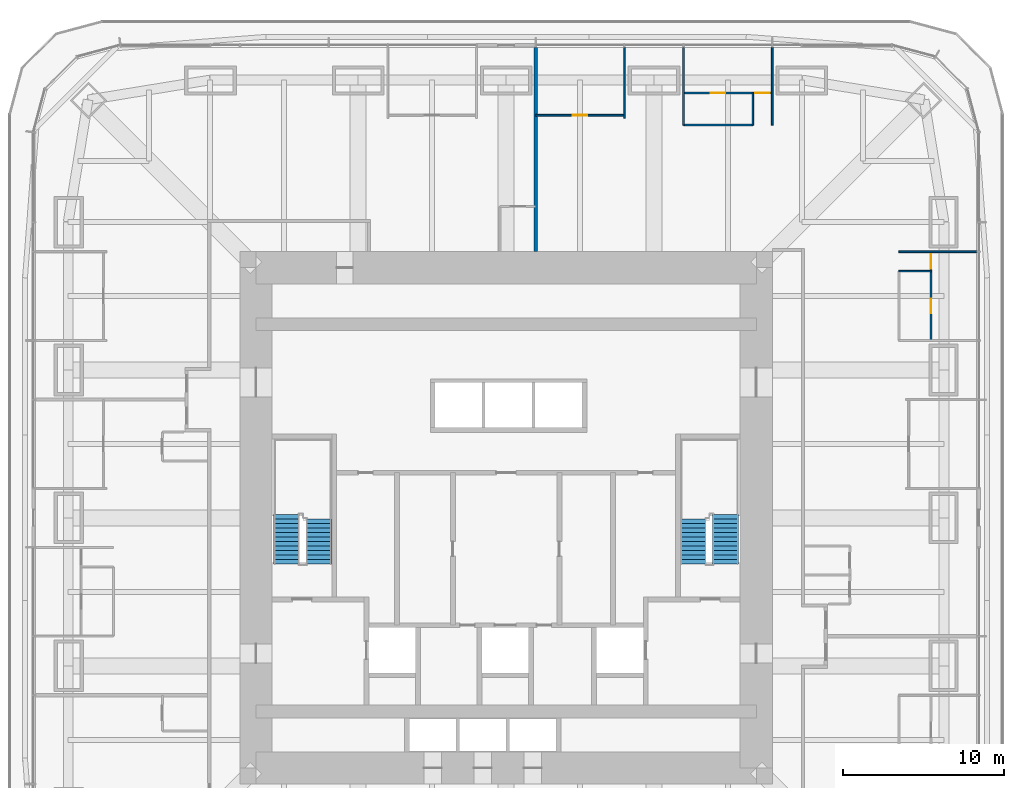
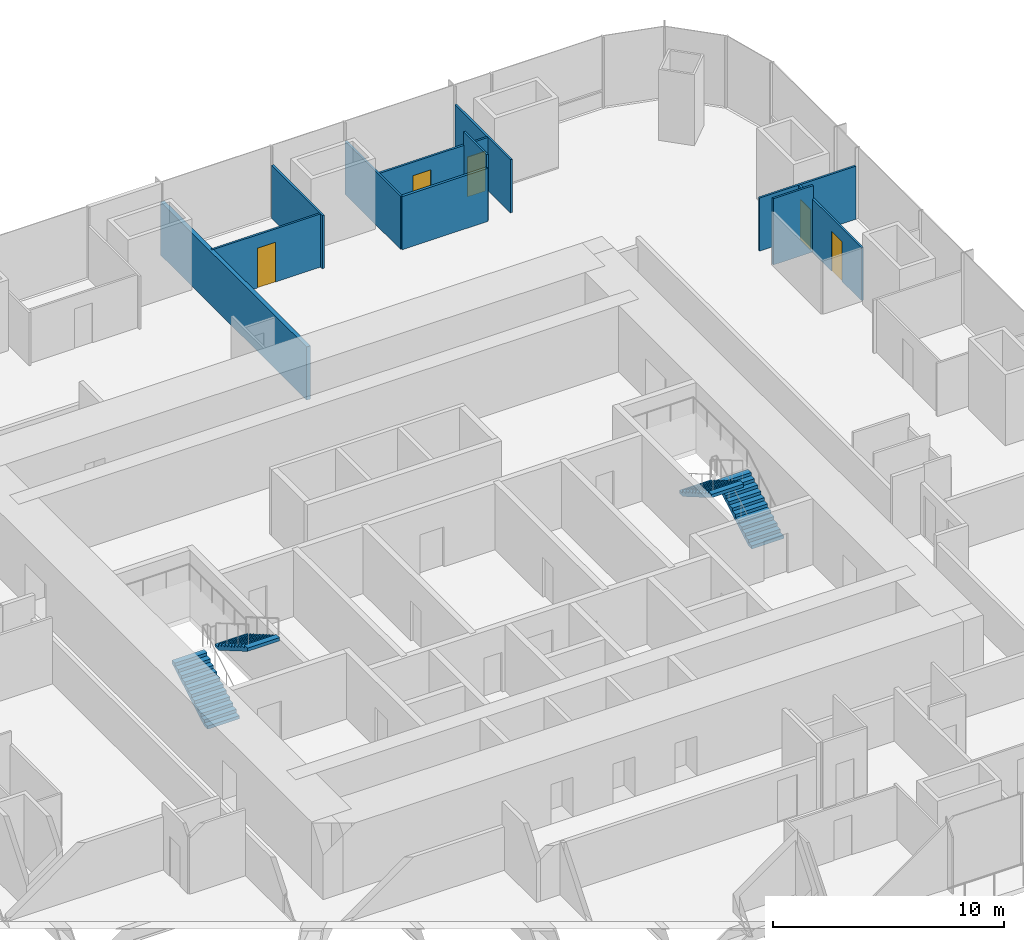
# One storey, part 14 of 16: 11 walls, 5 doors, 4 stair flights, 5 openings, 2 elements without a shape of their own.
"""IFC4 building model written with IfcOpenShell, lengths in metres."""

from ifc_helpers import new_model, si_unit, direction, frame, frame_2d, origin, place, context, subcontext, project, spatial, polyline, rectangle, outline, extrude, material, layer, layer_set, type_object, element, fill, aggregate, save


model = new_model("IFC4")

# Units and contexts
model_context = context("Model", 3, precision=1e-05, world=origin(), true_north=direction((0.0, 1.0)))
body_context = subcontext(model_context, "Body", "Model", "MODEL_VIEW")
ifc_project = project(units=[si_unit("LENGTHUNIT", "METRE"), si_unit("AREAUNIT", "SQUARE_METRE"), si_unit("VOLUMEUNIT", "CUBIC_METRE"), si_unit("PLANEANGLEUNIT", "RADIAN"), si_unit("MASSUNIT", "GRAM", prefix="KILO")], contexts=[model_context])

# Site, building, storey
site_placement = place(None, origin())
site = spatial("IfcSite", under=ifc_project, at=site_placement, CompositionType="ELEMENT")
building_placement = place(site_placement, origin())
building = spatial("IfcBuilding", under=site, at=building_placement, Name="Khuree Lantern Residences", CompositionType="ELEMENT")
storey_placement = place(building_placement, frame((0.0, 0.0, 107.25)))
storey = spatial("IfcBuildingStorey", under=building, at=storey_placement, Name="L26", CompositionType="ELEMENT", Elevation=107.25)

# Walls
ifc_material_1 = material(Name="Moisture-resistant gypsum board on steel studs", Category="steel")
ifc_layer_1 = layer(ifc_material_1, 0.125)
ifc_layer_set_1 = layer_set([ifc_layer_1], Name="BATHROOM WALL BTW125")
wall_type_1 = type_object("IfcWallType", Name="BATHROOM WALL BTW125", PredefinedType="PARTITIONING", material=ifc_layer_set_1)
wall_1_placement = place(storey_placement, frame((15.2880859375, 24.329833984375, 0.0), z_axis=(0.0, 0.0, 1.0), x_axis=(-1.0, 0.0, 0.0)))
element("IfcWall", 1, at=wall_1_placement, inside=storey, type_object=wall_type_1, Name="L26 BATHROOM WALL 01", PredefinedType="PARTITIONING", context=body_context, shape_type="SweptSolid", body=[
    extrude(rectangle(XDim=4.296142578125, YDim=0.125, at=frame_2d((2.14794921875, 0.0))), origin(), (0.0, 0.0, 1.0), 2.81005859375),
])
ifc_material_2 = material(Name="Gypsum board on steel studs", Category="steel")
ifc_layer_2 = layer(ifc_material_2, 0.199951171875)
ifc_layer_set_2 = layer_set([ifc_layer_2], Name="DEMISING WALL DMW200 EI 90")
wall_type_2 = type_object("IfcWallType", Name="DEMISING WALL DMW200 EI 90", PredefinedType="PARTITIONING", material=ifc_layer_set_2)
wall_2_placement = place(storey_placement, frame((1.83203125, 16.5, 0.0), z_axis=(0.0, 0.0, 1.0), x_axis=(0.0, 1.0, 0.0)))
element("IfcWall", 2, at=wall_2_placement, inside=storey, type_object=wall_type_2, Name="L26 DEMISING WALL 02", PredefinedType="PARTITIONING", context=body_context, shape_type="SweptSolid", body=[
    extrude(rectangle(XDim=12.64990234375, YDim=0.199951171875, at=frame_2d((6.324951171875, 0.0))), origin(), (0.0, 0.0, 1.0), 2.81005859375),
])
ifc_layer_3 = layer(ifc_material_2, 0.10009765625)
ifc_layer_set_3 = layer_set([ifc_layer_3], Name="PARTITION PT100")
wall_type_3 = type_object("IfcWallType", Name="PARTITION PT100", PredefinedType="PARTITIONING", material=ifc_layer_set_3)
for number, where, z_axis, x_axis, name in (
    (3, (24.329833984375, 16.488037109375, 0.0), (0.0, 0.0, 1.0), (1.0, 0.0, 0.0), "L26 PARTITION 01"),
    (4, (16.488037109375, 24.329833984375, 0.0), (0.0, 0.0, 1.0), (0.0, 1.0, 0.0), "L26 PARTITION 01"),
    (5, (10.991943359375, 24.329833984375, 0.0), (0.0, 0.0, 1.0), (0.0, 1.0, 0.0), "L26 PARTITION 01"),
):
    element("IfcWall", number, at=place(storey_placement, frame(where, z_axis=z_axis, x_axis=x_axis)), inside=storey, type_object=wall_type_3, Name=name, PredefinedType="PARTITIONING", context=body_context, shape_type="SweptSolid", body=[
        extrude(rectangle(XDim=4.820068359375, YDim=0.10009765625, at=frame_2d((2.41015625, 0.0))), origin(), (0.0, 0.0, 1.0), 2.81005859375),
    ])
wall_3_placement = place(storey_placement, frame((7.327880859375, 24.75, 0.0), z_axis=(0.0, 0.0, 1.0), x_axis=(0.0, 1.0, 0.0)))
element("IfcWall", 6, at=wall_3_placement, inside=storey, type_object=wall_type_3, Name="L26 PARTITION 01", PredefinedType="PARTITIONING", context=body_context, shape_type="SweptSolid", body=[
    extrude(rectangle(XDim=4.39990234375, YDim=0.10009765625, at=frame_2d((2.199951171875, 0.0))), origin(), (0.0, 0.0, 1.0), 2.81005859375),
])

# Wall, openings, doors
wall_4_placement = place(storey_placement, frame((26.329833984375, 10.991943359375, 0.0), z_axis=(0.0, 0.0, 1.0), x_axis=(0.0, 1.0, 0.0)))
wall_4 = element("IfcWall", 7, at=wall_4_placement, inside=storey, type_object=wall_type_3, Name="L26 PARTITION 01", PredefinedType="PARTITIONING", context=body_context, shape_type="SweptSolid", body=[
    extrude(rectangle(XDim=5.49609375, YDim=0.10009765625, at=frame_2d((2.748046875, 0.0))), origin(), (0.0, 0.0, 1.0), 2.81005859375),
])
opening_1_placement = place(wall_4_placement, frame((4.446044921875, 0.0, 0.0)))
opening_1 = element("IfcOpeningElement", 8, at=opening_1_placement, cuts=wall_4, Name="Opening 26-022", PredefinedType="OPENING", context=body_context, shape_type="SweptSolid", body=[
    extrude(rectangle(XDim=0.89990234375, YDim=2.10009765625, at=frame_2d((0.449951171875, 1.050048828125))), frame((0.0, 0.06005859375, 0.0), z_axis=(0.0, -1.0, 0.0), x_axis=(1.0, 0.0, 0.0)), (0.0, 0.0, 1.0), 0.1201171875),
])
opening_2_placement = place(wall_4_placement, frame((1.697998046875, 0.0, 0.0)))
opening_2 = element("IfcOpeningElement", 9, at=opening_2_placement, cuts=wall_4, Name="Opening 26-023", PredefinedType="OPENING", context=body_context, shape_type="SweptSolid", body=[
    extrude(rectangle(XDim=0.89990234375, YDim=2.10009765625, at=frame_2d((0.449951171875, 1.050048828125))), frame((0.0, 0.06005859375, 0.0), z_axis=(0.0, -1.0, 0.0), x_axis=(1.0, 0.0, 0.0)), (0.0, 0.0, 1.0), 0.1201171875),
])
ifc_material_3 = material(Name="Timber door leaf in hardwood frame", Category="wood")
door_type_1 = type_object("IfcDoorType", Name="BATHROOM DOOR 900X2100", OperationType="SINGLE_SWING_LEFT", PredefinedType="DOOR", material=ifc_material_3)
door_1_placement = place(opening_2_placement, origin())
door_1 = element("IfcDoor", 10, at=door_1_placement, inside=storey, type_object=door_type_1, Name="Bathroom door 26-023", OperationType="SINGLE_SWING_LEFT", OverallHeight=2.10009765625, OverallWidth=0.89990234375, PredefinedType="DOOR", context=body_context, shape_type="SweptSolid", body=[
    extrude(rectangle(XDim=0.89990234375, YDim=2.10009765625, at=frame_2d((0.449951171875, 1.050048828125))), frame((0.0, 0.02490234375, 0.0), z_axis=(0.0, -1.0, 0.0), x_axis=(1.0, 0.0, 0.0)), (0.0, 0.0, 1.0), 0.050048828125),
])
fill(opening_2, door_1)
door_type_2 = type_object("IfcDoorType", Name="BEDROOM DOOR 900X2100", OperationType="SINGLE_SWING_LEFT", PredefinedType="DOOR", material=ifc_material_3)
door_2_placement = place(opening_1_placement, origin())
door_2 = element("IfcDoor", 11, at=door_2_placement, inside=storey, type_object=door_type_2, Name="Bedroom door 26-022", OperationType="SINGLE_SWING_LEFT", OverallHeight=2.10009765625, OverallWidth=0.89990234375, PredefinedType="DOOR", context=body_context, shape_type="SweptSolid", body=[
    extrude(rectangle(XDim=0.89990234375, YDim=2.10009765625, at=frame_2d((0.449951171875, 1.050048828125))), frame((0.0, 0.02490234375, 0.0), z_axis=(0.0, -1.0, 0.0), x_axis=(1.0, 0.0, 0.0)), (0.0, 0.0, 1.0), 0.050048828125),
])
fill(opening_1, door_2)

# Wall
wall_5_placement = place(storey_placement, frame((24.329833984375, 15.2880859375, 0.0), z_axis=(0.0, 0.0, 1.0), x_axis=(1.0, 0.0, 0.0)))
element("IfcWall", 12, at=wall_5_placement, inside=storey, type_object=wall_type_3, Name="L26 PARTITION 01", PredefinedType="PARTITIONING", context=body_context, shape_type="SweptSolid", body=[
    extrude(rectangle(XDim=2.0, YDim=0.10009765625, at=frame_2d((1.0, 0.0))), origin(), (0.0, 0.0, 1.0), 3.5),
])

# Wall, openings, doors
wall_6_placement = place(storey_placement, frame((16.488037109375, 26.329833984375, 0.0), z_axis=(0.0, 0.0, 1.0), x_axis=(-1.0, 0.0, 0.0)))
wall_6 = element("IfcWall", 13, at=wall_6_placement, inside=storey, type_object=wall_type_3, Name="L26 PARTITION 01", PredefinedType="PARTITIONING", context=body_context, shape_type="SweptSolid", body=[
    extrude(rectangle(XDim=5.49609375, YDim=0.10009765625, at=frame_2d((2.748046875, 0.0))), origin(), (0.0, 0.0, 1.0), 2.81005859375),
])
opening_3_placement = place(wall_6_placement, frame((0.14990234375, 0.0, 0.0)))
opening_3 = element("IfcOpeningElement", 14, at=opening_3_placement, cuts=wall_6, Name="Opening 26-024", PredefinedType="OPENING", context=body_context, shape_type="SweptSolid", body=[
    extrude(rectangle(XDim=0.89990234375, YDim=2.10009765625, at=frame_2d((0.449951171875, 1.050048828125))), frame((0.0, 0.06005859375, 0.0), z_axis=(0.0, -1.0, 0.0), x_axis=(1.0, 0.0, 0.0)), (0.0, 0.0, 1.0), 0.1201171875),
])
opening_4_placement = place(wall_6_placement, frame((2.89794921875, 0.0, 0.0)))
opening_4 = element("IfcOpeningElement", 15, at=opening_4_placement, cuts=wall_6, Name="Opening 26-025", PredefinedType="OPENING", context=body_context, shape_type="SweptSolid", body=[
    extrude(rectangle(XDim=0.89990234375, YDim=2.10009765625, at=frame_2d((0.449951171875, 1.050048828125))), frame((0.0, 0.06005859375, 0.0), z_axis=(0.0, -1.0, 0.0), x_axis=(1.0, 0.0, 0.0)), (0.0, 0.0, 1.0), 0.1201171875),
])
door_3_placement = place(opening_4_placement, origin())
door_3 = element("IfcDoor", 16, at=door_3_placement, inside=storey, type_object=door_type_1, Name="Bathroom door 26-025", OperationType="SINGLE_SWING_LEFT", OverallHeight=2.10009765625, OverallWidth=0.89990234375, PredefinedType="DOOR", context=body_context, shape_type="SweptSolid", body=[
    extrude(rectangle(XDim=0.89990234375, YDim=2.10009765625, at=frame_2d((0.449951171875, 1.050048828125))), frame((0.0, 0.02490234375, 0.0), z_axis=(0.0, -1.0, 0.0), x_axis=(1.0, 0.0, 0.0)), (0.0, 0.0, 1.0), 0.050048828125),
])
fill(opening_4, door_3)
door_4_placement = place(opening_3_placement, origin())
door_4 = element("IfcDoor", 17, at=door_4_placement, inside=storey, type_object=door_type_2, Name="Bedroom door 26-024", OperationType="SINGLE_SWING_LEFT", OverallHeight=2.10009765625, OverallWidth=0.89990234375, PredefinedType="DOOR", context=body_context, shape_type="SweptSolid", body=[
    extrude(rectangle(XDim=0.89990234375, YDim=2.10009765625, at=frame_2d((0.449951171875, 1.050048828125))), frame((0.0, 0.02490234375, 0.0), z_axis=(0.0, -1.0, 0.0), x_axis=(1.0, 0.0, 0.0)), (0.0, 0.0, 1.0), 0.050048828125),
])
fill(opening_3, door_4)

# Wall
wall_7_placement = place(storey_placement, frame((15.2880859375, 24.329833984375, 0.0), z_axis=(0.0, 0.0, 1.0), x_axis=(0.0, 1.0, 0.0)))
element("IfcWall", 18, at=wall_7_placement, inside=storey, type_object=wall_type_3, Name="L26 PARTITION 01", PredefinedType="PARTITIONING", context=body_context, shape_type="SweptSolid", body=[
    extrude(rectangle(XDim=2.0, YDim=0.10009765625, at=frame_2d((1.0, 0.0))), origin(), (0.0, 0.0, 1.0), 3.5),
])

# Wall, opening, door
wall_8_placement = place(storey_placement, frame((7.327880859375, 24.949951171875, 0.0), z_axis=(0.0, 0.0, 1.0), x_axis=(-1.0, 0.0, 0.0)))
wall_8 = element("IfcWall", 19, at=wall_8_placement, inside=storey, type_object=wall_type_3, Name="L26 PARTITION 01", PredefinedType="PARTITIONING", context=body_context, shape_type="SweptSolid", body=[
    extrude(rectangle(XDim=5.495849609375, YDim=0.10009765625, at=frame_2d((2.748046875, 0.0))), origin(), (0.0, 0.0, 1.0), 2.81005859375),
])
opening_5_placement = place(wall_8_placement, frame((2.298095703125, 0.0, 0.0)))
opening_5 = element("IfcOpeningElement", 20, at=opening_5_placement, cuts=wall_8, Name="Opening 26-026", PredefinedType="OPENING", context=body_context, shape_type="SweptSolid", body=[
    extrude(rectangle(XDim=0.89990234375, YDim=2.10009765625, at=frame_2d((0.449951171875, 1.050048828125))), frame((0.0, 0.06005859375, 0.0), z_axis=(0.0, -1.0, 0.0), x_axis=(1.0, 0.0, 0.0)), (0.0, 0.0, 1.0), 0.1201171875),
])
door_type_3 = type_object("IfcDoorType", Name="BEDROOM DOOR 900X2100 RIGHT HAND", OperationType="SINGLE_SWING_RIGHT", PredefinedType="DOOR", material=ifc_material_3)
door_5_placement = place(opening_5_placement, origin())
door_5 = element("IfcDoor", 21, at=door_5_placement, inside=storey, type_object=door_type_3, Name="Bedroom door 26-026", OperationType="SINGLE_SWING_RIGHT", OverallHeight=2.10009765625, OverallWidth=0.89990234375, PredefinedType="DOOR", context=body_context, shape_type="SweptSolid", body=[
    extrude(rectangle(XDim=0.89990234375, YDim=2.10009765625, at=frame_2d((0.449951171875, 1.050048828125))), frame((0.0, 0.02490234375, 0.0), z_axis=(0.0, -1.0, 0.0), x_axis=(1.0, 0.0, 0.0)), (0.0, 0.0, 1.0), 0.050048828125),
])
fill(opening_5, door_5)

# Stair, stair flights
ifc_material_4 = material(Name="Concrete C40/50", Category="concrete")
stair_type = type_object("IfcStairType", Name="STAIR ST1 HALF TURN 3600", PredefinedType="HALF_TURN_STAIR", material=ifc_material_4)
stair_1_placement = place(storey_placement, origin())
stair_1 = element("IfcStair", 22, at=stair_1_placement, inside=storey, type_object=stair_type, Name="Stair ST1", PredefinedType="HALF_TURN_STAIR")
stair_flight_type = type_object("IfcStairFlightType", Name="STAIR FLIGHT SF1 1600", PredefinedType="STRAIGHT", material=ifc_material_4)
stair_flight_1_placement = place(storey_placement, frame((-13.60009765625, -2.860107421875, 0.0), z_axis=(0.0, 0.0, 1.0), x_axis=(0.0, 1.0, 0.0)))
stair_flight_1 = element("IfcStairFlight", 23, at=stair_flight_1_placement, type_object=stair_flight_type, Name="ST1 flight 1", NumberOfRisers=12, NumberOfTreads=11, PredefinedType="STRAIGHT", RiserHeight=0.163043478, TreadLength=0.28, context=body_context, shape_type="SweptSolid", body=[
    extrude(outline(polyline([(0.0, 0.0), (0.0, 0.1630859375), (0.280029296875, 0.1630859375), (0.280029296875, 0.326171875), (0.56005859375, 0.326171875), (0.56005859375, 0.489013671875), (0.840087890625, 0.489013671875), (0.840087890625, 0.652099609375), (1.1201171875, 0.652099609375), (1.1201171875, 0.815185546875), (1.39990234375, 0.815185546875), (1.39990234375, 0.978271484375), (1.679931640625, 0.978271484375), (1.679931640625, 1.141357421875), (1.9599609375, 1.141357421875), (1.9599609375, 1.304443359375), (2.239990234375, 1.304443359375), (2.239990234375, 1.46728515625), (2.52001953125, 1.46728515625), (2.52001953125, 1.63037109375), (2.800048828125, 1.63037109375), (2.800048828125, 1.79345703125), (3.080078125, 1.79345703125), (3.080078125, 1.95654296875), (3.080078125, 1.6201171875), (0.2978515625, 0.0), (0.0, 0.0)])), frame((0.0, 0.800048828125, 0.0), z_axis=(0.0, -1.0, 0.0), x_axis=(1.0, 0.0, 0.0)), (0.0, 0.0, 1.0), 1.60009765625),
])
stair_flight_2_placement = place(storey_placement, frame((-11.60009765625, -0.06005859375, 1.95654296875), z_axis=(0.0, 0.0, 1.0), x_axis=(0.0, -1.0, 0.0)))
stair_flight_2 = element("IfcStairFlight", 24, at=stair_flight_2_placement, type_object=stair_flight_type, Name="ST1 flight 2", NumberOfRisers=11, NumberOfTreads=10, PredefinedType="STRAIGHT", RiserHeight=0.163043478, TreadLength=0.28, context=body_context, shape_type="SweptSolid", body=[
    extrude(outline(polyline([(0.0, 0.0), (0.0, 0.1630859375), (0.280029296875, 0.1630859375), (0.280029296875, 0.326171875), (0.56005859375, 0.326171875), (0.56005859375, 0.489013671875), (0.840087890625, 0.489013671875), (0.840087890625, 0.652099609375), (1.1201171875, 0.652099609375), (1.1201171875, 0.815185546875), (1.39990234375, 0.815185546875), (1.39990234375, 0.978271484375), (1.679931640625, 0.978271484375), (1.679931640625, 1.141357421875), (1.9599609375, 1.141357421875), (1.9599609375, 1.304443359375), (2.239990234375, 1.304443359375), (2.239990234375, 1.46728515625), (2.52001953125, 1.46728515625), (2.52001953125, 1.63037109375), (2.800048828125, 1.63037109375), (2.800048828125, 1.79345703125), (2.800048828125, 1.45703125), (0.2978515625, 0.0), (0.0, 0.0)])), frame((0.0, 0.800048828125, 0.0), z_axis=(0.0, -1.0, 0.0), x_axis=(1.0, 0.0, 0.0)), (0.0, 0.0, 1.0), 1.60009765625),
])
aggregate(stair_1, [stair_flight_1, stair_flight_2])

stair_2_placement = place(storey_placement, origin())
stair_2 = element("IfcStair", 25, at=stair_2_placement, inside=storey, type_object=stair_type, Name="Stair ST2", PredefinedType="HALF_TURN_STAIR")
stair_flight_3_placement = place(storey_placement, frame((13.60009765625, -2.860107421875, 0.0), z_axis=(0.0, 0.0, 1.0), x_axis=(0.0, 1.0, 0.0)))
stair_flight_3 = element("IfcStairFlight", 26, at=stair_flight_3_placement, type_object=stair_flight_type, Name="ST2 flight 1", NumberOfRisers=12, NumberOfTreads=11, PredefinedType="STRAIGHT", RiserHeight=0.163043478, TreadLength=0.28, context=body_context, shape_type="SweptSolid", body=[
    extrude(outline(polyline([(0.0, 0.0), (0.0, 0.1630859375), (0.280029296875, 0.1630859375), (0.280029296875, 0.326171875), (0.56005859375, 0.326171875), (0.56005859375, 0.489013671875), (0.840087890625, 0.489013671875), (0.840087890625, 0.652099609375), (1.1201171875, 0.652099609375), (1.1201171875, 0.815185546875), (1.39990234375, 0.815185546875), (1.39990234375, 0.978271484375), (1.679931640625, 0.978271484375), (1.679931640625, 1.141357421875), (1.9599609375, 1.141357421875), (1.9599609375, 1.304443359375), (2.239990234375, 1.304443359375), (2.239990234375, 1.46728515625), (2.52001953125, 1.46728515625), (2.52001953125, 1.63037109375), (2.800048828125, 1.63037109375), (2.800048828125, 1.79345703125), (3.080078125, 1.79345703125), (3.080078125, 1.95654296875), (3.080078125, 1.6201171875), (0.2978515625, 0.0), (0.0, 0.0)])), frame((0.0, 0.800048828125, 0.0), z_axis=(0.0, -1.0, 0.0), x_axis=(1.0, 0.0, 0.0)), (0.0, 0.0, 1.0), 1.60009765625),
])
stair_flight_4_placement = place(storey_placement, frame((11.60009765625, -0.06005859375, 1.95654296875), z_axis=(0.0, 0.0, 1.0), x_axis=(0.0, -1.0, 0.0)))
stair_flight_4 = element("IfcStairFlight", 27, at=stair_flight_4_placement, type_object=stair_flight_type, Name="ST2 flight 2", NumberOfRisers=11, NumberOfTreads=10, PredefinedType="STRAIGHT", RiserHeight=0.163043478, TreadLength=0.28, context=body_context, shape_type="SweptSolid", body=[
    extrude(outline(polyline([(0.0, 0.0), (0.0, 0.1630859375), (0.280029296875, 0.1630859375), (0.280029296875, 0.326171875), (0.56005859375, 0.326171875), (0.56005859375, 0.489013671875), (0.840087890625, 0.489013671875), (0.840087890625, 0.652099609375), (1.1201171875, 0.652099609375), (1.1201171875, 0.815185546875), (1.39990234375, 0.815185546875), (1.39990234375, 0.978271484375), (1.679931640625, 0.978271484375), (1.679931640625, 1.141357421875), (1.9599609375, 1.141357421875), (1.9599609375, 1.304443359375), (2.239990234375, 1.304443359375), (2.239990234375, 1.46728515625), (2.52001953125, 1.46728515625), (2.52001953125, 1.63037109375), (2.800048828125, 1.63037109375), (2.800048828125, 1.79345703125), (2.800048828125, 1.45703125), (0.2978515625, 0.0), (0.0, 0.0)])), frame((0.0, 0.800048828125, 0.0), z_axis=(0.0, -1.0, 0.0), x_axis=(1.0, 0.0, 0.0)), (0.0, 0.0, 1.0), 1.60009765625),
])
aggregate(stair_2, [stair_flight_3, stair_flight_4])

save(model, "model.ifc")
